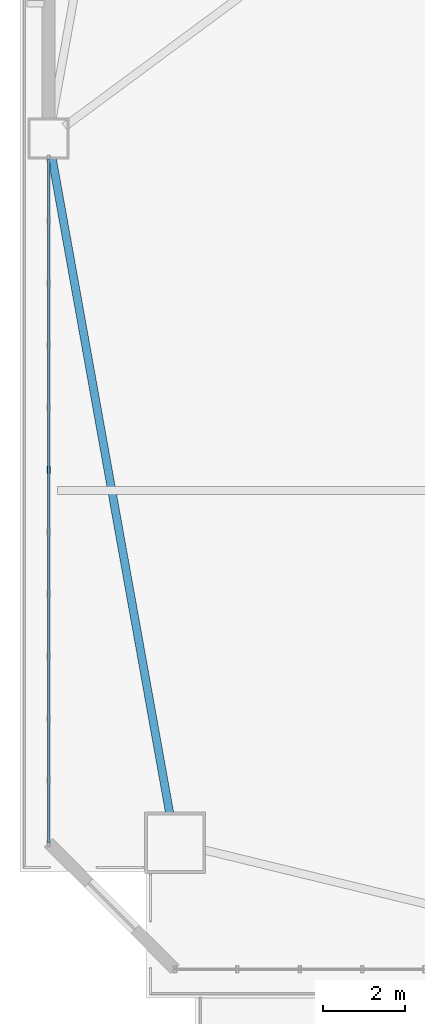
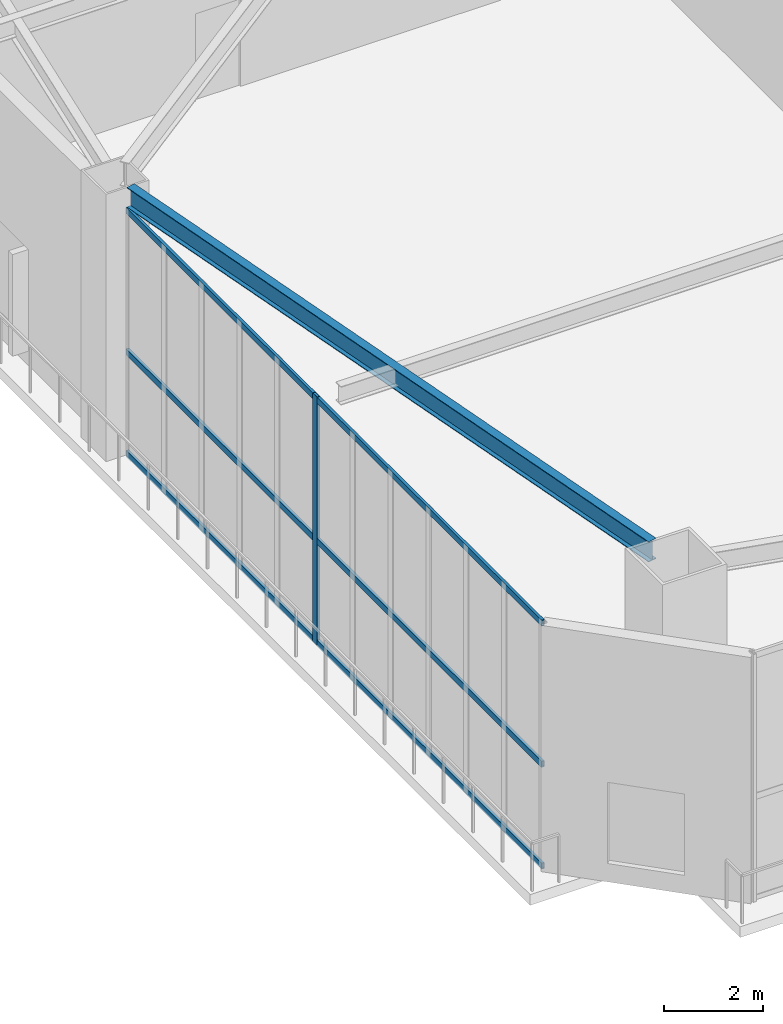
# One storey, part 3 of 22: 4 members, 1 beam, 1 element without a shape of its own.
"""IFC4 building model written with IfcOpenShell, lengths in metres."""

import ifcopenshell
import ifcopenshell.guid

model = None  # the IFC model being written
_history = None  # IfcOwnerHistory: only IFC2X3 demands one
_inside = {}  # id of a spatial element -> (the spatial element, [elements in it])
_under = {}  # id of a project, library or spatial element -> (it, [spatial elements below it])
_declared = {}  # id of a project -> (the project, [libraries it declares])
_typed = {}  # id of a type object -> (the type object, [elements of that type])
_made_of = {}  # id of a material, layer set ... -> (it, [elements and type objects made of it])


def new_model(schema):
    """Start an empty IFC model of exactly this schema.

    Asked for "IFC4X3", IfcOpenShell would pick the latest addendum, in which some entities
    have other attributes; the version numbers below select the first issue.
    IFC2X3 requires an IfcOwnerHistory on every rooted entity: one is made here for all.
    """
    global model, _history
    if schema == "IFC4X3":
        model = ifcopenshell.file(schema_version=(4, 3, 0, 0))
    else:
        model = ifcopenshell.file(schema=schema)
    _inside.clear()
    _under.clear()
    _declared.clear()
    _typed.clear()
    _made_of.clear()
    _history = None
    if model.schema == "IFC2X3":
        org = make("IfcOrganization", Name="unknown")
        user = make(
            "IfcPersonAndOrganization",
            ThePerson=make("IfcPerson", FamilyName="unknown"),
            TheOrganization=org,
        )
        app = make(
            "IfcApplication",
            ApplicationDeveloper=org,
            Version="unknown",
            ApplicationFullName="unknown",
            ApplicationIdentifier="unknown",
        )
        _history = make(
            "IfcOwnerHistory",
            OwningUser=user,
            OwningApplication=app,
            ChangeAction="ADDED",
            CreationDate=0,
        )
    return model


def make(cls, **values):
    """One entity of the class cls with the attributes given. An attribute that is None is left unset."""
    return model.create_entity(
        cls, **{name: value for name, value in values.items() if value is not None}
    )


def rooted(cls, **values):
    """An entity with a GlobalId (a new one), such as an element, a storey or a relation."""
    return make(cls, GlobalId=ifcopenshell.guid.new(), OwnerHistory=_history, **values)


def si_unit(unit_type, name, prefix=None):
    """IfcSIUnit, for example si_unit("LENGTHUNIT", "METRE", prefix="MILLI")."""
    return make("IfcSIUnit", UnitType=unit_type, Prefix=prefix, Name=name)


def assignment(units):
    """IfcUnitAssignment: the units of a project."""
    return None if units is None else make("IfcUnitAssignment", Units=units)


def point(xyz):
    """IfcCartesianPoint."""
    return None if xyz is None else make("IfcCartesianPoint", Coordinates=xyz)


def direction(xyz):
    """IfcDirection."""
    return None if xyz is None else make("IfcDirection", DirectionRatios=xyz)


def frame(location, z_axis=None, x_axis=None):
    """IfcAxis2Placement3D, a coordinate frame: its origin and axes. An axis left out is left unset."""
    return make(
        "IfcAxis2Placement3D",
        Location=point(location),
        Axis=direction(z_axis),
        RefDirection=direction(x_axis),
    )


def frame_2d(location, x_axis=None):
    """IfcAxis2Placement2D, a coordinate frame in the plane: its origin and x axis."""
    return make(
        "IfcAxis2Placement2D", Location=point(location), RefDirection=direction(x_axis)
    )


def origin():
    """The frame at (0, 0, 0) with its axes left unset."""
    return frame((0.0, 0.0, 0.0))


def origin_2d():
    """The frame at (0, 0) in the plane with its x axis left unset."""
    return frame_2d((0.0, 0.0))


def place(relative_to, where):
    """IfcLocalPlacement: puts the frame where relative to a parent placement (None: the world)."""
    return make(
        "IfcLocalPlacement", PlacementRelTo=relative_to, RelativePlacement=where
    )


def context(
    kind, dimensions, precision=None, world=None, true_north=None, identifier=None
):
    """IfcGeometricRepresentationContext, for example the 3D "Model" context."""
    return make(
        "IfcGeometricRepresentationContext",
        ContextIdentifier=identifier,
        ContextType=kind,
        CoordinateSpaceDimension=dimensions,
        Precision=precision,
        WorldCoordinateSystem=world,
        TrueNorth=true_north,
    )


def subcontext(parent, identifier, kind, view, scale=None):
    """IfcGeometricRepresentationSubContext, for example "Body" below "Model"."""
    return make(
        "IfcGeometricRepresentationSubContext",
        ContextIdentifier=identifier,
        ContextType=kind,
        ParentContext=parent,
        TargetScale=scale,
        TargetView=view,
    )


def project(units=None, contexts=None):
    """IfcProject with its units and contexts."""
    return rooted(
        "IfcProject",
        Name="project",
        RepresentationContexts=contexts,
        UnitsInContext=assignment(units),
    )


def spatial(cls, under=None, at=None, **own):
    """A site, building, storey or space (cls), placed at a placement, below another one or the project."""
    s = rooted(cls, ObjectPlacement=at, **own)
    if under is not None:
        _under.setdefault(under.id(), (under, []))[1].append(s)
    return s


def profile(cls, at=None, kind="AREA", **sizes):
    """A parametric profile (cls). Its sizes go by their IFC names, for example OverallWidth=200.0."""
    return make(cls, ProfileType=kind, Position=at, **sizes)


def hollow_rectangle(**sizes):
    """IfcRectangleHollowProfileDef."""
    return profile("IfcRectangleHollowProfileDef", **sizes)


def i_section(**sizes):
    """IfcIShapeProfileDef."""
    return profile("IfcIShapeProfileDef", **sizes)


def extrude(swept, where, along, depth):
    """IfcExtrudedAreaSolid: the profile swept, set in the frame where, extruded along a direction by depth."""
    return make(
        "IfcExtrudedAreaSolid",
        SweptArea=swept,
        Position=where,
        ExtrudedDirection=direction(along),
        Depth=depth,
    )


def shape(context_of_items, identifier, shape_type, items):
    """IfcShapeRepresentation: the items that make up one representation, for example the "Body"."""
    return make(
        "IfcShapeRepresentation",
        ContextOfItems=context_of_items,
        RepresentationIdentifier=identifier,
        RepresentationType=shape_type,
        Items=items,
    )


def source(mapping_origin, context_of_items, identifier, shape_type, items):
    """IfcRepresentationMap: a shape defined once, which mapped items show again and again."""
    return make(
        "IfcRepresentationMap",
        MappingOrigin=mapping_origin,
        MappedRepresentation=shape(context_of_items, identifier, shape_type, items),
    )


def transform(
    local_origin,
    x_axis=None,
    y_axis=None,
    z_axis=None,
    scale=None,
    scale2=None,
    scale3=None,
    uniform=True,
):
    """IfcCartesianTransformationOperator3D, or its non-uniform kind. x_axis, y_axis, z_axis: its Axis1, 2, 3."""
    if uniform:
        return make(
            "IfcCartesianTransformationOperator3D",
            Axis1=direction(x_axis),
            Axis2=direction(y_axis),
            LocalOrigin=point(local_origin),
            Scale=scale,
            Axis3=direction(z_axis),
        )
    return make(
        "IfcCartesianTransformationOperator3DnonUniform",
        Axis1=direction(x_axis),
        Axis2=direction(y_axis),
        LocalOrigin=point(local_origin),
        Scale=scale,
        Axis3=direction(z_axis),
        Scale2=scale2,
        Scale3=scale3,
    )


def mapped(mapping_source, mapping_target):
    """IfcMappedItem: shows the shape of a source again, moved by a transform."""
    return make(
        "IfcMappedItem", MappingSource=mapping_source, MappingTarget=mapping_target
    )


def material(Name=None, Category=None):
    """IfcMaterial."""
    return make("IfcMaterial", Name=Name, Category=Category)


def layer(
    of_material, thickness, ventilated=None, Name=None, Category=None, Priority=None
):
    """IfcMaterialLayer: one layer of a wall or slab, of a material (None: an air gap)."""
    return make(
        "IfcMaterialLayer",
        Material=of_material,
        LayerThickness=thickness,
        IsVentilated=ventilated,
        Name=Name,
        Category=Category,
        Priority=Priority,
    )


def layer_set(layers, Name=None):
    """IfcMaterialLayerSet."""
    return make("IfcMaterialLayerSet", MaterialLayers=layers, LayerSetName=Name)


def material_profile(
    of_material, cross_section, Name=None, Category=None, Priority=None
):
    """IfcMaterialProfile: a cross section and its material."""
    return make(
        "IfcMaterialProfile",
        Name=Name,
        Material=of_material,
        Profile=cross_section,
        Priority=Priority,
        Category=Category,
    )


def profile_set(profiles, Name=None, composite=None):
    """IfcMaterialProfileSet."""
    return make(
        "IfcMaterialProfileSet",
        Name=Name,
        MaterialProfiles=profiles,
        CompositeProfile=composite,
    )


def made_of(thing, what):
    """Note that an element or type object is made of a material, layer set ...; save() writes the relation."""
    if what is not None:
        _made_of.setdefault(what.id(), (what, []))[1].append(thing)
    return thing


def type_object(cls, material=None, **own):
    """A type object (cls), such as IfcWallType, which elements share."""
    return made_of(rooted(cls, **own), material)


def element(
    cls,
    number,
    at=None,
    inside=None,
    cuts=None,
    type_object=None,
    material=None,
    context=None,
    identifier="Body",
    shape_type=None,
    held_by="IfcProductDefinitionShape",
    body=None,
    shapes=None,
    **own,
):
    """One element of the class cls, such as IfcWall. Its Tag is "e" and its number.

    at: its placement. inside: the storey or other place that contains it. cuts: it is an
    opening in that element (IfcRelVoidsElement). A single representation is given by context,
    identifier, shape_type and body (its items); several are given by shapes. held_by: the class
    of the entity that holds the representations. save() writes the other relations.
    """
    e = rooted(cls, Tag="e%d" % number, ObjectPlacement=at, **own)
    if body is not None:
        shapes = [shape(context, identifier, shape_type, body)]
    if shapes is not None:
        e.Representation = make(held_by, Representations=shapes)
    if inside is not None:
        _inside.setdefault(inside.id(), (inside, []))[1].append(e)
    if cuts is not None:
        rooted(
            "IfcRelVoidsElement", RelatingBuildingElement=cuts, RelatedOpeningElement=e
        )
    if type_object is not None:
        _typed.setdefault(type_object.id(), (type_object, []))[1].append(e)
    return made_of(e, material)


def aggregate(whole, parts):
    """IfcRelAggregates: a whole, such as a stair, and the parts it consists of."""
    return rooted("IfcRelAggregates", RelatingObject=whole, RelatedObjects=parts)


def save(model, path):
    """Write the relations noted so far, then the file.

    IfcRelAggregates (storeys below a building ...), IfcRelContainedInSpatialStructure (elements
    in a storey), IfcRelDefinesByType, IfcRelAssociatesMaterial and IfcRelDeclares: one each for
    every whole, place, type object, material and project.
    """
    for whole, parts in _under.values():
        aggregate(whole, parts)
    for where, things in _inside.values():
        rooted(
            "IfcRelContainedInSpatialStructure",
            RelatedElements=things,
            RelatingStructure=where,
        )
    for kind, things in _typed.values():
        rooted("IfcRelDefinesByType", RelatedObjects=things, RelatingType=kind)
    for what, things in _made_of.values():
        rooted("IfcRelAssociatesMaterial", RelatedObjects=things, RelatingMaterial=what)
    for by, libraries in _declared.values():
        rooted("IfcRelDeclares", RelatingContext=by, RelatedDefinitions=libraries)
    model.write(path)


model = new_model("IFC4")

# Units and contexts
model_context = context("Model", 3, precision=1e-05, world=origin(), true_north=direction((0.0, 1.0)))
body_context = subcontext(model_context, "Body", "Model", "MODEL_VIEW")
ifc_project = project(units=[si_unit("LENGTHUNIT", "METRE"), si_unit("AREAUNIT", "SQUARE_METRE"), si_unit("VOLUMEUNIT", "CUBIC_METRE"), si_unit("PLANEANGLEUNIT", "RADIAN"), si_unit("MASSUNIT", "GRAM", prefix="KILO")], contexts=[model_context])

# Site, building, storey
site_placement = place(None, origin())
site = spatial("IfcSite", under=ifc_project, at=site_placement, CompositionType="ELEMENT")
building_placement = place(site_placement, origin())
building = spatial("IfcBuilding", under=site, at=building_placement, Name="Giltprow Tower", CompositionType="ELEMENT")
storey_placement = place(building_placement, frame((0.0, 0.0, 72.800048828125)))
storey = spatial("IfcBuildingStorey", under=building, at=storey_placement, Name="L18", CompositionType="ELEMENT", Elevation=72.800048828125)

# Beam
ifc_material_1 = material(Name="Structural steel Q355B", Category="steel")
ifc_material_profile_1 = material_profile(ifc_material_1, i_section(OverallWidth=0.199951171875, OverallDepth=0.5, WebThickness=0.010009765625, FlangeThickness=0.01611328125, at=origin_2d()), Name="HN 500x200x10x16")
ifc_profile_set_1 = profile_set([ifc_material_profile_1], Name="Structural steel Q355B")
beam_type = type_object("IfcBeamType", Name="BM-SPAN-HN500", PredefinedType="SPANDREL", material=ifc_profile_set_1)
shared_shape_1 = source(origin(), body_context, "Body", "SweptSolid", [
    extrude(i_section(OverallWidth=0.199951171875, OverallDepth=0.5, WebThickness=0.010009765625, FlangeThickness=0.01611328125, at=origin_2d()), origin(), (0.0, 0.0, 1.0), 16.306396484375),
])
beam_placement = place(storey_placement, frame((4.1259765625, 25.278076171875, 6.329833984375), z_axis=(0.176625383248, -0.984278148692, 0.0), x_axis=(0.984278148692, 0.176625383248, 0.0)))
element("IfcBeam", 1, at=beam_placement, inside=storey, type_object=beam_type, Name="L18 Perimeter Spandrel Beam W_MID-MC_SW", PredefinedType="SPANDREL", context=body_context, shape_type="MappedRepresentation", body=[
    mapped(shared_shape_1, transform((0.0, 0.0, 0.0), x_axis=(1.0, 0.0, 0.0), y_axis=(0.0, 1.0, 0.0), z_axis=(0.0, 0.0, 1.0), scale=1.0)),
])

# Curtain wall, members
ifc_material_2 = material(Name="Anodized bronze", Category="metal")
ifc_layer = layer(ifc_material_2, 0.179931640625, Name="Anodized bronze")
ifc_layer_set = layer_set([ifc_layer], Name="Anodized bronze")
curtain_wall_type = type_object("IfcCurtainWallType", Name="CW-SKYGARDEN", PredefinedType="NOTDEFINED", material=ifc_layer_set)
curtain_wall_placement = place(storey_placement, origin())
curtain_wall = element("IfcCurtainWall", 2, at=curtain_wall_placement, inside=storey, type_object=curtain_wall_type, Name="L18 W Sky Garden Glazing", PredefinedType="NOTDEFINED")
ifc_material_profile_2 = material_profile(ifc_material_2, hollow_rectangle(XDim=0.074951171875, YDim=0.179931640625, WallThickness=0.008056640625, at=origin_2d()), Name="RHS 180x75x8")
ifc_profile_set_2 = profile_set([ifc_material_profile_2], Name="Anodized bronze")
member_type_1 = type_object("IfcMemberType", Name="CW-MULLION-180x75", PredefinedType="MULLION", material=ifc_profile_set_2)
shared_shape_2 = source(origin(), body_context, "Body", "SweptSolid", [
    extrude(hollow_rectangle(XDim=0.074951171875, YDim=0.179931640625, WallThickness=0.008056640625, at=origin_2d()), origin(), (0.0, 0.0, 1.0), 6.114990234375),
])
member_1_placement = place(storey_placement, frame((4.0400390625, 17.64111328125, -0.02001953125), z_axis=(0.0, 0.0, 1.0), x_axis=(1.0, 0.0, 0.0)))
member_1 = element("IfcMember", 3, at=member_1_placement, type_object=member_type_1, Name="L18 W Sky Garden Glazing Mullion 7", PredefinedType="MULLION", context=body_context, shape_type="MappedRepresentation", body=[
    mapped(shared_shape_2, transform((0.0, 0.0, 0.0), x_axis=(1.0, 0.0, 0.0), y_axis=(0.0, 1.0, 0.0), z_axis=(0.0, 0.0, 1.0), scale=1.0)),
])
ifc_material_profile_3 = material_profile(ifc_material_2, hollow_rectangle(XDim=0.06494140625, YDim=0.14990234375, WallThickness=0.006103515625, at=origin_2d()), Name="RHS 150x65x6")
ifc_profile_set_3 = profile_set([ifc_material_profile_3], Name="Anodized bronze")
member_type_2 = type_object("IfcMemberType", Name="CW-TRANSOM-150x65", PredefinedType="USERDEFINED", material=ifc_profile_set_3)
shared_shape_3 = source(origin(), body_context, "Body", "SweptSolid", [
    extrude(hollow_rectangle(XDim=0.06494140625, YDim=0.14990234375, WallThickness=0.006103515625, at=origin_2d()), origin(), (0.0, 0.0, 1.0), 16.75),
])
member_2_placement = place(storey_placement, frame((4.0400390625, 8.5048828125, 0.0400390625), z_axis=(0.0, 1.0, 0.0), x_axis=(-1.0, 0.0, 0.0)))
member_2 = element("IfcMember", 4, at=member_2_placement, type_object=member_type_2, Name="L18 W Sky Garden Glazing Transom 1", ObjectType="TRANSOM", PredefinedType="USERDEFINED", context=body_context, shape_type="MappedRepresentation", body=[
    mapped(shared_shape_3, transform((0.0, 0.0, 0.0), x_axis=(1.0, 0.0, 0.0), y_axis=(0.0, 1.0, 0.0), z_axis=(0.0, 0.0, 1.0), scale=1.0)),
])
member_3_placement = place(storey_placement, frame((4.0400390625, 8.5048828125, 2.544921875), z_axis=(0.0, 1.0, 0.0), x_axis=(-1.0, 0.0, 0.0)))
member_3 = element("IfcMember", 5, at=member_3_placement, type_object=member_type_2, Name="L18 W Sky Garden Glazing Transom 2", ObjectType="TRANSOM", PredefinedType="USERDEFINED", context=body_context, shape_type="MappedRepresentation", body=[
    mapped(shared_shape_3, transform((0.0, 0.0, 0.0), x_axis=(1.0, 0.0, 0.0), y_axis=(0.0, 1.0, 0.0), z_axis=(0.0, 0.0, 1.0), scale=1.0)),
])
member_4_placement = place(storey_placement, frame((4.0400390625, 8.5048828125, 6.02001953125), z_axis=(0.0, 1.0, 0.0), x_axis=(-1.0, 0.0, 0.0)))
member_4 = element("IfcMember", 6, at=member_4_placement, type_object=member_type_2, Name="L18 W Sky Garden Glazing Transom 3", ObjectType="TRANSOM", PredefinedType="USERDEFINED", context=body_context, shape_type="MappedRepresentation", body=[
    mapped(shared_shape_3, transform((0.0, 0.0, 0.0), x_axis=(1.0, 0.0, 0.0), y_axis=(0.0, 1.0, 0.0), z_axis=(0.0, 0.0, 1.0), scale=1.0)),
])
aggregate(curtain_wall, [member_1, member_2, member_3, member_4])

save(model, "model.ifc")
